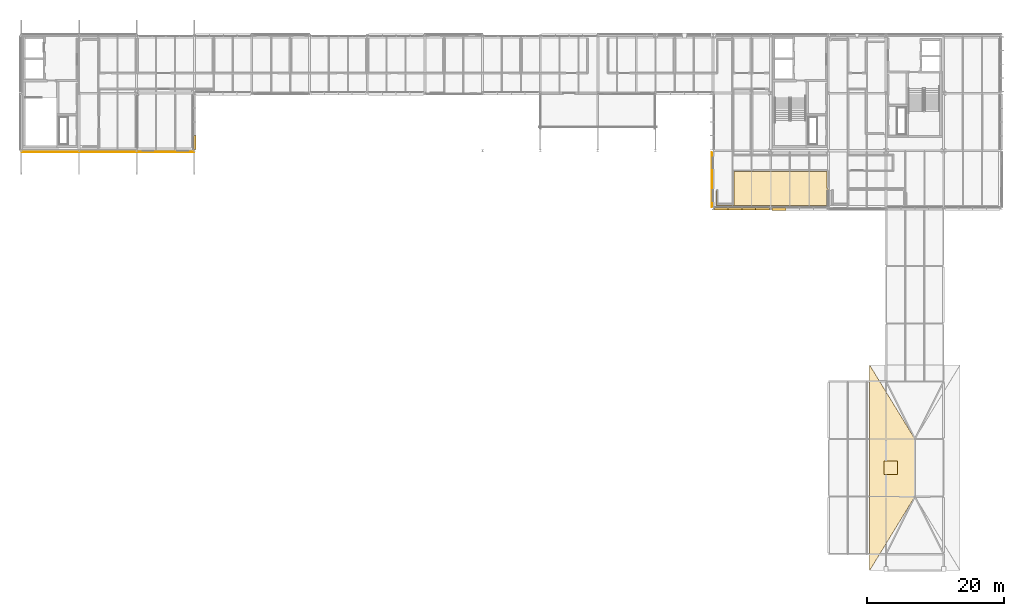
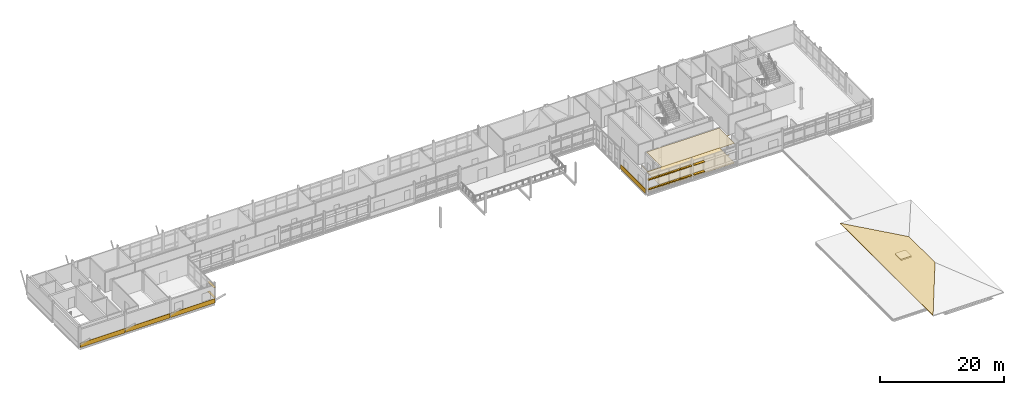
# One storey, part 51 of 57: 12 shading devices, 8 coverings.
"""IFC4 building model written with IfcOpenShell, lengths in metres."""

from ifc_helpers import new_model, si_unit, direction, frame, origin, origin_2d, place, context, subcontext, project, spatial, polyline, rectangle, outline, extrude, material, layer, layer_set, type_object, element, save


model = new_model("IFC4")

# Units and contexts
model_context = context("Model", 3, precision=1e-05, world=origin(), true_north=direction((0.0, 1.0)))
body_context = subcontext(model_context, "Body", "Model", "MODEL_VIEW")
ifc_project = project(units=[si_unit("LENGTHUNIT", "METRE"), si_unit("AREAUNIT", "SQUARE_METRE"), si_unit("VOLUMEUNIT", "CUBIC_METRE"), si_unit("PLANEANGLEUNIT", "RADIAN"), si_unit("MASSUNIT", "GRAM", prefix="KILO")], contexts=[model_context])

# Site, building, storey
site_placement = place(None, origin())
site = spatial("IfcSite", under=ifc_project, at=site_placement, CompositionType="ELEMENT")
building_placement = place(site_placement, origin())
building = spatial("IfcBuilding", under=site, at=building_placement, Name="Mersafa Astral City Hall", CompositionType="ELEMENT")
storey_placement = place(building_placement, frame((0.0, 0.0, 26.10009765625)))
storey = spatial("IfcBuildingStorey", under=building, at=storey_placement, Name="L06", CompositionType="ELEMENT", Elevation=26.10009765625)

# Coverings
ifc_material_1 = material(Name="Cairo Mokattam buff limestone cladding", Category="masonry")
ifc_layer_1 = layer(ifc_material_1, 0.06005859375, Name="Cairo Mokattam buff limestone cladding")
ifc_layer_set_1 = layer_set([ifc_layer_1], Name="Cairo Mokattam buff limestone cladding — ENV-COV-LIMESTONE-60")
covering_type_1 = type_object("IfcCoveringType", Name="ENV-COV-LIMESTONE-60", PredefinedType="CLADDING", material=ifc_layer_set_1)
covering_1_placement = place(storey_placement, frame((142.6455078125, 104.9951171875, 0.0), z_axis=(0.0, 0.0, 1.0), x_axis=(0.0, -1.0, 0.0)))
element("IfcCovering", 1, at=covering_1_placement, inside=storey, type_object=covering_type_1, Name="L06 Cairo buff limestone rainscreen cladding 346", PredefinedType="CLADDING", context=body_context, shape_type="SweptSolid", body=[
    extrude(rectangle(XDim=7.998046875, YDim=0.06005859375, at=origin_2d()), origin(), (0.0, 0.0, 1.0), 0.860107421875),
])
for number, where, z_axis, x_axis, name in (
    (2, (46.199951171875, 109.030517578125, 0.0), (0.0, 0.0, 1.0), (1.0, 0.0, 0.0), "L06 Cairo buff limestone rainscreen cladding 362"),
    (3, (54.60009765625, 109.0380859375, 0.0), (0.0, 0.0, 1.0), (1.0, 0.0, 0.0), "L06 Cairo buff limestone rainscreen cladding 363"),
    (4, (63.0, 109.04541015625, 0.0), (0.0, 0.0, 1.0), (1.0, 0.0, 0.0), "L06 Cairo buff limestone rainscreen cladding 364"),
):
    element("IfcCovering", number, at=place(storey_placement, frame(where, z_axis=z_axis, x_axis=x_axis)), inside=storey, type_object=covering_type_1, Name=name, PredefinedType="CLADDING", context=body_context, shape_type="SweptSolid", body=[
        extrude(rectangle(XDim=8.323974609375, YDim=0.06005859375, at=origin_2d()), origin(), (0.0, 0.0, 1.0), 0.860107421875),
    ])
ifc_material_2 = material(Name="Egyptian ceramic terracotta roof tile", Category="masonry")
ifc_layer_2 = layer(ifc_material_2, 0.054931640625, Name="Egyptian ceramic terracotta roof tile")
ifc_layer_set_2 = layer_set([ifc_layer_2], Name="Egyptian ceramic terracotta roof tile — ENV-COV-TERRACOTTA-55")
covering_type_2 = type_object("IfcCoveringType", Name="ENV-COV-TERRACOTTA-55", PredefinedType="ROOFING", material=ifc_layer_set_2)
covering_2_placement = place(storey_placement, frame((165.60009765625, 78.0, 0.052978515625), z_axis=(-0.233443694185, 0.0, 0.972370321249), x_axis=(0.0, -1.0, 0.0)))
element("IfcCovering", 5, at=covering_2_placement, inside=storey, type_object=covering_type_2, Name="L06 Warm terracotta ceramic roof tile covering 33", PredefinedType="ROOFING", context=body_context, shape_type="SweptSolid", body=[
    extrude(outline(polyline([(0.0, 0.0), (30.0, 0.0), (19.199951171875, 6.787386833392628), (10.800048828125, 6.787386833392628), (0.0, 0.0)])), origin(), (0.0, 0.0, -1.0), 0.054931640625),
])

# Shading devices
ifc_material_3 = material(Name="Kiln-dried cedar timber brise-soleil blade", Category="wood")
shading_device_type_1 = type_object("IfcShadingDeviceType", Name="ENV-SHD-LOUVRE-380", PredefinedType="JALOUSIE", material=ifc_material_3)
shading_device_placement = place(storey_placement, frame((143.986572265625, 100.719970703125, 0.81494140625), z_axis=(0.0, 0.0, 1.0), x_axis=(1.0, 0.0, 0.0)))
element("IfcShadingDevice", 6, at=shading_device_placement, inside=storey, type_object=shading_device_type_1, Name="L06 Horizontal cedar brise-soleil louvre 1600", PredefinedType="JALOUSIE", context=body_context, shape_type="SweptSolid", body=[
    extrude(rectangle(XDim=2.029052734375, YDim=0.3798828125, at=origin_2d()), origin(), (0.0, 0.0, 1.0), 0.070068359375),
])
for number, where, z_axis, x_axis, name in (
    (7, (145.990478515625, 100.719970703125, 0.81494140625), (0.0, 0.0, 1.0), (1.0, 0.0, 0.0), "L06 Horizontal cedar brise-soleil louvre 1601"),
    (8, (148.009521484375, 100.719970703125, 0.81494140625), (0.0, 0.0, 1.0), (1.0, 0.0, 0.0), "L06 Horizontal cedar brise-soleil louvre 1602"),
):
    element("IfcShadingDevice", number, at=place(storey_placement, frame(where, z_axis=z_axis, x_axis=x_axis)), inside=storey, type_object=shading_device_type_1, Name=name, PredefinedType="JALOUSIE", context=body_context, shape_type="SweptSolid", body=[
        extrude(rectangle(XDim=2.05908203125, YDim=0.3798828125, at=origin_2d()), origin(), (0.0, 0.0, 1.0), 0.070068359375),
    ])
for number, where, z_axis, x_axis, name in (
    (9, (150.013427734375, 100.719970703125, 0.81494140625), (0.0, 0.0, 1.0), (1.0, 0.0, 0.0), "L06 Horizontal cedar brise-soleil louvre 1603"),
    (10, (143.986572265625, 100.719970703125, 2.71484375), (0.0, 0.0, 1.0), (1.0, 0.0, 0.0), "L06 Horizontal cedar brise-soleil louvre 1604"),
):
    element("IfcShadingDevice", number, at=place(storey_placement, frame(where, z_axis=z_axis, x_axis=x_axis)), inside=storey, type_object=shading_device_type_1, Name=name, PredefinedType="JALOUSIE", context=body_context, shape_type="SweptSolid", body=[
        extrude(rectangle(XDim=2.029052734375, YDim=0.3798828125, at=origin_2d()), origin(), (0.0, 0.0, 1.0), 0.070068359375),
    ])
for number, where, z_axis, x_axis, name in (
    (11, (145.990478515625, 100.719970703125, 2.71484375), (0.0, 0.0, 1.0), (1.0, 0.0, 0.0), "L06 Horizontal cedar brise-soleil louvre 1605"),
    (12, (148.009521484375, 100.719970703125, 2.71484375), (0.0, 0.0, 1.0), (1.0, 0.0, 0.0), "L06 Horizontal cedar brise-soleil louvre 1606"),
):
    element("IfcShadingDevice", number, at=place(storey_placement, frame(where, z_axis=z_axis, x_axis=x_axis)), inside=storey, type_object=shading_device_type_1, Name=name, PredefinedType="JALOUSIE", context=body_context, shape_type="SweptSolid", body=[
        extrude(rectangle(XDim=2.05908203125, YDim=0.3798828125, at=origin_2d()), origin(), (0.0, 0.0, 1.0), 0.070068359375),
    ])
for number, where, z_axis, x_axis, name in (
    (13, (150.013427734375, 100.719970703125, 2.71484375), (0.0, 0.0, 1.0), (1.0, 0.0, 0.0), "L06 Horizontal cedar brise-soleil louvre 1607"),
    (14, (67.280029296875, 110.386474609375, 0.81494140625), (0.0, 0.0, 1.0), (0.0, 1.0, 0.0), "L06 Horizontal cedar brise-soleil louvre 1669"),
    (15, (67.280029296875, 110.386474609375, 2.71484375), (0.0, 0.0, 1.0), (0.0, 1.0, 0.0), "L06 Horizontal cedar brise-soleil louvre 1673"),
):
    element("IfcShadingDevice", number, at=place(storey_placement, frame(where, z_axis=z_axis, x_axis=x_axis)), inside=storey, type_object=shading_device_type_1, Name=name, PredefinedType="JALOUSIE", context=body_context, shape_type="SweptSolid", body=[
        extrude(rectangle(XDim=2.029052734375, YDim=0.3798828125, at=origin_2d()), origin(), (0.0, 0.0, 1.0), 0.070068359375),
    ])
shading_device_type_2 = type_object("IfcShadingDeviceType", Name="ENV-SHD-LOUVRE-450", PredefinedType="JALOUSIE", material=ifc_material_3)
for number, where, z_axis, x_axis, name in (
    (16, (152.386474609375, 100.68505859375, 0.809814453125), (0.0, 0.0, 1.0), (1.0, 0.0, 0.0), "L06 Horizontal cedar brise-soleil louvre 1608"),
    (17, (152.386474609375, 100.68505859375, 2.7099609375), (0.0, 0.0, 1.0), (1.0, 0.0, 0.0), "L06 Horizontal cedar brise-soleil louvre 1612"),
):
    element("IfcShadingDevice", number, at=place(storey_placement, frame(where, z_axis=z_axis, x_axis=x_axis)), inside=storey, type_object=shading_device_type_2, Name=name, PredefinedType="JALOUSIE", context=body_context, shape_type="SweptSolid", body=[
        extrude(rectangle(XDim=2.029052734375, YDim=0.449951171875, at=origin_2d()), origin(), (0.0, 0.0, 1.0), 0.080078125),
    ])

# Coverings
ifc_material_4 = material(Name="Laminated solar control double skylight glazing", Category="glass")
covering_type_3 = type_object("IfcCoveringType", Name="ENV-SKY-SK-06", PredefinedType="MEMBRANE", material=ifc_material_4)
covering_3_placement = place(storey_placement, frame((168.699951171875, 63.0, 1.58447265625), z_axis=(0.0, 0.0, 1.0), x_axis=(1.0, 0.0, 0.0)))
element("IfcCovering", 18, at=covering_3_placement, inside=storey, type_object=covering_type_3, Name="L06 Civic Roof Lantern Skylight 6", PredefinedType="MEMBRANE", context=body_context, shape_type="SweptSolid", body=[
    extrude(rectangle(XDim=2.0, YDim=2.0, at=origin_2d()), origin(), (0.0, 0.0, 1.0), 0.280029296875),
])
ifc_material_5 = material(Name="Perforated acoustic gypsum board ceiling", Category="gypsum")
ifc_layer_3 = layer(ifc_material_5, 0.02490234375, Name="Perforated acoustic gypsum board ceiling")
ifc_layer_set_3 = layer_set([ifc_layer_3], Name="Perforated acoustic gypsum board ceiling — INT-COV-CEIL-25")
covering_type_4 = type_object("IfcCoveringType", Name="INT-COV-CEIL-25", PredefinedType="CEILING", material=ifc_layer_set_3)
covering_4_placement = place(storey_placement, frame((0.0, 0.0, 3.85595703125)))
element("IfcCovering", 19, at=covering_4_placement, inside=storey, type_object=covering_type_4, Name="L06 Public Restroom L06-14 acoustic ceiling", PredefinedType="CEILING", context=body_context, shape_type="SweptSolid", body=[
    extrude(outline(polyline([(159.3701171875, 106.159912109375), (159.3701171875, 103.719970703125), (159.719970703125, 103.719970703125), (159.719970703125, 103.47998046875), (159.3701171875, 103.47998046875), (159.3701171875, 101.199951171875), (143.199951171875, 101.199951171875), (143.199951171875, 103.3701171875), (143.280029296875, 103.3701171875), (143.280029296875, 101.280029296875), (145.840087890625, 101.280029296875), (145.840087890625, 106.159912109375), (159.3701171875, 106.159912109375)])), origin(), (0.0, 0.0, 1.0), 0.02490234375),
])
ifc_material_6 = material(Name="Heavy-duty woven acoustic carpet tile", Category="finish")
ifc_layer_4 = layer(ifc_material_6, 0.014892578125, Name="Heavy-duty woven acoustic carpet tile")
ifc_layer_set_4 = layer_set([ifc_layer_4], Name="Heavy-duty woven acoustic carpet tile — INT-COV-FLR-15")
covering_type_5 = type_object("IfcCoveringType", Name="INT-COV-FLR-15", PredefinedType="FLOORING", material=ifc_layer_set_4)
covering_5_placement = place(storey_placement, frame((0.0, 0.0, -0.001708984375)))
element("IfcCovering", 20, at=covering_5_placement, inside=storey, type_object=covering_type_5, Name="L06 Public Restroom L06-14 architectural flooring", PredefinedType="FLOORING", context=body_context, shape_type="SweptSolid", body=[
    extrude(outline(polyline([(159.3701171875, 106.159912109375), (159.3701171875, 103.719970703125), (159.719970703125, 103.719970703125), (159.719970703125, 103.47998046875), (159.3701171875, 103.47998046875), (159.3701171875, 101.199951171875), (143.199951171875, 101.199951171875), (143.199951171875, 103.3701171875), (143.280029296875, 103.3701171875), (143.280029296875, 101.280029296875), (145.840087890625, 101.280029296875), (145.840087890625, 106.159912109375), (159.3701171875, 106.159912109375)])), origin(), (0.0, 0.0, 1.0), 0.014892578125),
])

save(model, "model.ifc")
